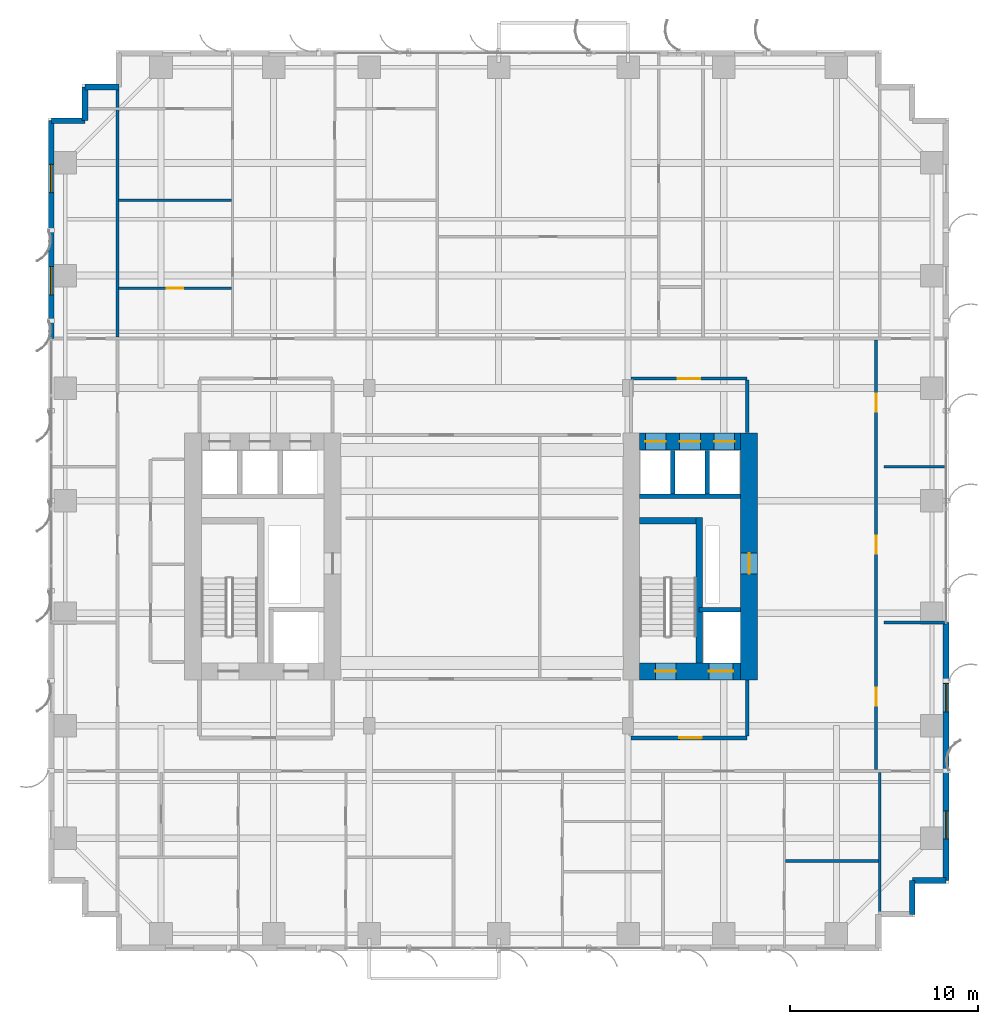
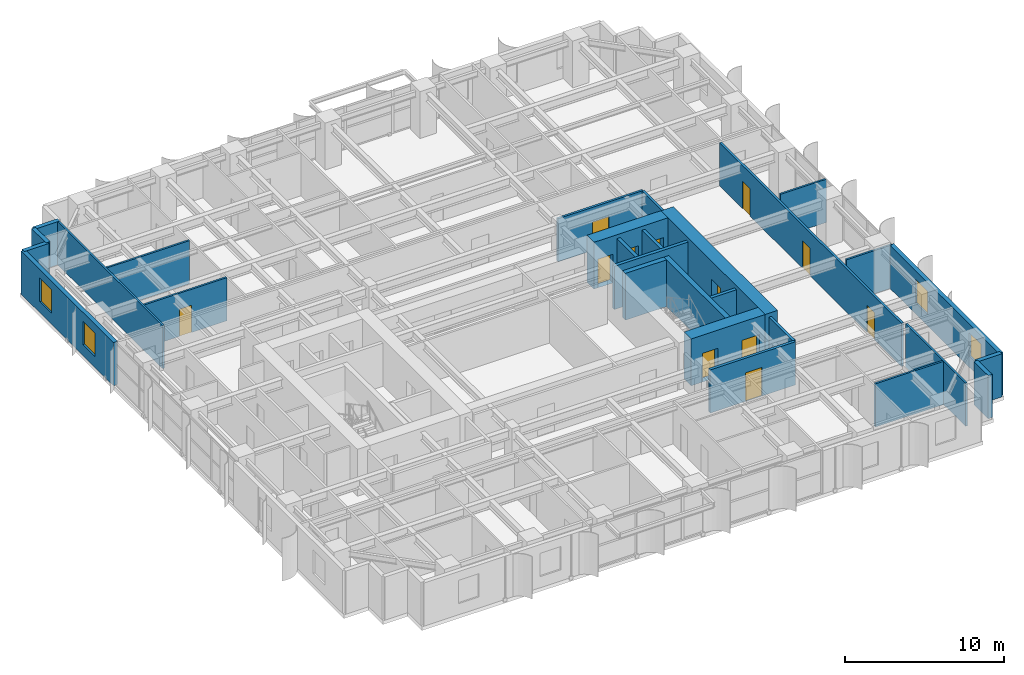
# One storey, part 19 of 25: 28 walls, 12 doors, 4 windows, 16 openings.
"""IFC4 building model written with IfcOpenShell, lengths in metres."""

from ifc_helpers import new_model, si_unit, direction, frame, frame_2d, origin, place, context, subcontext, project, spatial, rectangle, extrude, source, transform, mapped, material, layer, layer_set, type_object, element, fill, save


model = new_model("IFC4")

# Units and contexts
model_context = context("Model", 3, precision=1e-05, world=origin(), true_north=direction((0.0, 1.0)))
body_context = subcontext(model_context, "Body", "Model", "MODEL_VIEW")
ifc_project = project(units=[si_unit("LENGTHUNIT", "METRE"), si_unit("AREAUNIT", "SQUARE_METRE"), si_unit("VOLUMEUNIT", "CUBIC_METRE"), si_unit("PLANEANGLEUNIT", "RADIAN"), si_unit("MASSUNIT", "GRAM", prefix="KILO")], contexts=[model_context])

# Site, building, storey
site_placement = place(None, origin())
site = spatial("IfcSite", under=ifc_project, at=site_placement, CompositionType="ELEMENT")
building_placement = place(site_placement, origin())
building = spatial("IfcBuilding", under=site, at=building_placement, Name="Khoralis Quay Care Tower", CompositionType="ELEMENT")
storey_placement = place(building_placement, frame((0.0, 0.0, 65.699951171875)))
storey = spatial("IfcBuildingStorey", under=building, at=storey_placement, Name="L17", CompositionType="ELEMENT", Elevation=65.699951171875)

# Wall, opening, door
ifc_material_1 = material(Name="Gypsum plasterboard on acoustic metal stud")
ifc_layer_1 = layer(ifc_material_1, 0.199951171875)
ifc_layer_set_1 = layer_set([ifc_layer_1], Name="Gypsum plasterboard on acoustic metal stud")
wall_type_1 = type_object("IfcWallType", Name="WL-COMP-200", PredefinedType="PARTITIONING", material=ifc_layer_set_1)
wall_1_placement = place(storey_placement, frame((31.050048828125, 11.35009765625, 0.0), z_axis=(0.0, 0.0, 1.0), x_axis=(1.0, 0.0, 0.0)))
wall_1 = element("IfcWall", 1, at=wall_1_placement, inside=storey, type_object=wall_type_1, Name="L17 East Firefighting Lobby South Wall", PredefinedType="PARTITIONING", context=body_context, shape_type="SweptSolid", body=[
    extrude(rectangle(XDim=6.199951171875, YDim=0.199951171875, at=frame_2d((3.10009765625, 0.0))), origin(), (0.0, 0.0, 1.0), 3.320068359375),
])
opening_1_placement = place(wall_1_placement, frame((2.585693359375, 0.0, 0.0)))
opening_1 = element("IfcOpeningElement", 2, at=opening_1_placement, cuts=wall_1, Name="Opening FD1", PredefinedType="OPENING", context=body_context, shape_type="SweptSolid", body=[
    extrude(rectangle(XDim=1.199951171875, YDim=2.199951171875, at=frame_2d((0.60009765625, 1.10009765625))), frame((0.0, 0.10986328125, 0.0), z_axis=(0.0, -1.0, 0.0), x_axis=(1.0, 0.0, 0.0)), (0.0, 0.0, 1.0), 0.219970703125),
])
ifc_material_2 = material(Name="Fire-rated painted steel", Category="steel")
door_type_1 = type_object("IfcDoorType", Name="DR-FFL-1200X2200", OperationType="NOTDEFINED", PredefinedType="DOOR", material=ifc_material_2)
shared_shape_1 = source(origin(), body_context, "Body", "SweptSolid", [
    extrude(rectangle(XDim=1.199951171875, YDim=2.199951171875, at=frame_2d((0.60009765625, 1.10009765625))), frame((0.0, 0.02490234375, 0.0), z_axis=(0.0, -1.0, 0.0), x_axis=(1.0, 0.0, 0.0)), (0.0, 0.0, 1.0), 0.050048828125),
])
door_1_placement = place(opening_1_placement, origin())
door_1 = element("IfcDoor", 3, at=door_1_placement, inside=storey, type_object=door_type_1, Name="L17 East Firefighting Lobby Fire Door", OperationType="SINGLE_SWING_RIGHT", OverallHeight=2.199951171875, OverallWidth=1.199951171875, PredefinedType="DOOR", context=body_context, shape_type="MappedRepresentation", body=[
    mapped(shared_shape_1, transform((0.0, 0.0, 0.0), scale=1.0)),
])
fill(opening_1, door_1)

# Wall
wall_2_placement = place(storey_placement, frame((37.25, 11.445068359375, 0.0), z_axis=(0.0, 0.0, 1.0), x_axis=(0.0, 1.0, 0.0)))
element("IfcWall", 4, at=wall_2_placement, inside=storey, type_object=wall_type_1, Name="L17 East Firefighting Lobby East Wall", PredefinedType="PARTITIONING", context=body_context, shape_type="SweptSolid", body=[
    extrude(rectangle(XDim=2.98486328125, YDim=0.199951171875, at=frame_2d((1.492431640625, 0.0))), origin(), (0.0, 0.0, 1.0), 3.320068359375),
])

# Wall, opening, door
ifc_material_3 = material(Name="Concrete C80/95", Category="concrete")
ifc_layer_2 = layer(ifc_material_3, 0.89990234375)
ifc_layer_set_2 = layer_set([ifc_layer_2], Name="Concrete C80/95")
wall_type_2 = type_object("IfcWallType", Name="WL-CORE-900", PredefinedType="SHEAR", material=ifc_layer_set_2)
wall_3_placement = place(storey_placement, frame((37.35009765625, 14.449951171875, 0.0), z_axis=(0.0, 0.0, 1.0), x_axis=(0.0, 1.0, 0.0)))
wall_3 = element("IfcWall", 5, at=wall_3_placement, inside=storey, type_object=wall_type_2, Name="L17 ECORE East Shear Wall", PredefinedType="SHEAR", context=body_context, shape_type="SweptSolid", body=[
    extrude(rectangle(XDim=13.150146484375, YDim=0.89990234375, at=frame_2d((6.5751953125, 0.0))), origin(), (0.0, 0.0, 1.0), 3.60009765625),
])
opening_2_placement = place(wall_3_placement, frame((5.64990234375, 0.0, 0.0)))
opening_2 = element("IfcOpeningElement", 6, at=opening_2_placement, cuts=wall_3, Name="Opening SD1", PredefinedType="OPENING", context=body_context, shape_type="SweptSolid", body=[
    extrude(rectangle(XDim=1.10009765625, YDim=2.199951171875, at=frame_2d((0.550048828125, 1.10009765625))), frame((0.0, 0.4599609375, 0.0), z_axis=(0.0, -1.0, 0.0), x_axis=(1.0, 0.0, 0.0)), (0.0, 0.0, 1.0), 0.919921875),
])
door_type_2 = type_object("IfcDoorType", Name="DR-STAIR-1100X2200", OperationType="NOTDEFINED", PredefinedType="DOOR", material=ifc_material_2)
shared_shape_2 = source(origin(), body_context, "Body", "SweptSolid", [
    extrude(rectangle(XDim=1.10009765625, YDim=2.199951171875, at=frame_2d((0.550048828125, 1.10009765625))), frame((0.0, 0.02490234375, 0.0), z_axis=(0.0, -1.0, 0.0), x_axis=(1.0, 0.0, 0.0)), (0.0, 0.0, 1.0), 0.050048828125),
])
door_2_placement = place(opening_2_placement, frame((1.10009765625, 0.0, 0.0), z_axis=(0.0, 0.0, 1.0), x_axis=(-1.0, 0.0, 0.0)))
door_2 = element("IfcDoor", 7, at=door_2_placement, inside=storey, type_object=door_type_2, Name="L17 East MEP Riser Door", OperationType="SINGLE_SWING_RIGHT", OverallHeight=2.199951171875, OverallWidth=1.10009765625, PredefinedType="DOOR", context=body_context, shape_type="MappedRepresentation", body=[
    mapped(shared_shape_2, transform((0.0, 0.0, 0.0), scale=1.0)),
])
fill(opening_2, door_2)

# Wall, openings, doors
wall_4_placement = place(storey_placement, frame((31.52001953125, 14.89990234375, 0.0), z_axis=(0.0, 0.0, 1.0), x_axis=(1.0, 0.0, 0.0)))
wall_4 = element("IfcWall", 8, at=wall_4_placement, inside=storey, type_object=wall_type_2, Name="L17 ECORE South Shear Wall", PredefinedType="SHEAR", context=body_context, shape_type="SweptSolid", body=[
    extrude(rectangle(XDim=5.3798828125, YDim=0.89990234375, at=frame_2d((2.68994140625, 0.0))), origin(), (0.0, 0.0, 1.0), 3.60009765625),
])
opening_3_placement = place(wall_4_placement, frame((0.830078125, 0.0, 0.0)))
opening_3 = element("IfcOpeningElement", 9, at=opening_3_placement, cuts=wall_4, Name="Opening SD1", PredefinedType="OPENING", context=body_context, shape_type="SweptSolid", body=[
    extrude(rectangle(XDim=1.10009765625, YDim=2.199951171875, at=frame_2d((0.550048828125, 1.10009765625))), frame((0.0, 0.4599609375, 0.0), z_axis=(0.0, -1.0, 0.0), x_axis=(1.0, 0.0, 0.0)), (0.0, 0.0, 1.0), 0.919921875),
])
opening_4_placement = place(wall_4_placement, frame((3.679931640625, 0.0, 0.0)))
opening_4 = element("IfcOpeningElement", 10, at=opening_4_placement, cuts=wall_4, Name="Opening LD2", PredefinedType="OPENING", context=body_context, shape_type="SweptSolid", body=[
    extrude(rectangle(XDim=1.300048828125, YDim=2.199951171875, at=frame_2d((0.64990234375, 1.10009765625))), frame((0.0, 0.4599609375, 0.0), z_axis=(0.0, -1.0, 0.0), x_axis=(1.0, 0.0, 0.0)), (0.0, 0.0, 1.0), 0.919921875),
])
door_3_placement = place(opening_3_placement, origin())
door_3 = element("IfcDoor", 11, at=door_3_placement, inside=storey, type_object=door_type_2, Name="L17 Stair ST-T2 Fire Door", OperationType="SINGLE_SWING_RIGHT", OverallHeight=2.199951171875, OverallWidth=1.10009765625, PredefinedType="DOOR", context=body_context, shape_type="MappedRepresentation", body=[
    mapped(shared_shape_2, transform((0.0, 0.0, 0.0), scale=1.0)),
])
fill(opening_3, door_3)
ifc_material_4 = material(Name="Brushed stainless steel", Category="steel")
door_type_3 = type_object("IfcDoorType", Name="DR-LIFT-1300X2200", OperationType="SLIDING_TO_RIGHT", PredefinedType="DOOR", material=ifc_material_4)
shared_shape_3 = source(origin(), body_context, "Body", "SweptSolid", [
    extrude(rectangle(XDim=1.300048828125, YDim=2.199951171875, at=frame_2d((0.64990234375, 1.10009765625))), frame((0.0, 0.02490234375, 0.0), z_axis=(0.0, -1.0, 0.0), x_axis=(1.0, 0.0, 0.0)), (0.0, 0.0, 1.0), 0.050048828125),
])
door_4_placement = place(opening_4_placement, origin())
door_4 = element("IfcDoor", 12, at=door_4_placement, inside=storey, type_object=door_type_3, Name="L17 Firefighting Lift FFL-2 Landing Door", OperationType="SLIDING_TO_RIGHT", OverallHeight=2.199951171875, OverallWidth=1.300048828125, PredefinedType="DOOR", context=body_context, shape_type="MappedRepresentation", body=[
    mapped(shared_shape_3, transform((0.0, 0.0, 0.0), scale=1.0)),
])
fill(opening_4, door_4)

wall_5_placement = place(storey_placement, frame((31.52001953125, 27.14990234375, 0.0), z_axis=(0.0, 0.0, 1.0), x_axis=(1.0, 0.0, 0.0)))
wall_5 = element("IfcWall", 13, at=wall_5_placement, inside=storey, type_object=wall_type_2, Name="L17 ECORE North Shear Wall", PredefinedType="SHEAR", context=body_context, shape_type="SweptSolid", body=[
    extrude(rectangle(XDim=5.3798828125, YDim=0.89990234375, at=frame_2d((2.68994140625, 0.0))), origin(), (0.0, 0.0, 1.0), 3.60009765625),
])
opening_5_placement = place(wall_5_placement, frame((0.300048828125, 0.0, 0.0)))
opening_5 = element("IfcOpeningElement", 14, at=opening_5_placement, cuts=wall_5, Name="Opening LD1", PredefinedType="OPENING", context=body_context, shape_type="SweptSolid", body=[
    extrude(rectangle(XDim=1.10009765625, YDim=2.199951171875, at=frame_2d((0.550048828125, 1.10009765625))), frame((0.0, 0.4599609375, 0.0), z_axis=(0.0, -1.0, 0.0), x_axis=(1.0, 0.0, 0.0)), (0.0, 0.0, 1.0), 0.919921875),
])
opening_6_placement = place(wall_5_placement, frame((2.1298828125, 0.0, 0.0)))
opening_6 = element("IfcOpeningElement", 15, at=opening_6_placement, cuts=wall_5, Name="Opening LD1", PredefinedType="OPENING", context=body_context, shape_type="SweptSolid", body=[
    extrude(rectangle(XDim=1.10009765625, YDim=2.199951171875, at=frame_2d((0.550048828125, 1.10009765625))), frame((0.0, 0.4599609375, 0.0), z_axis=(0.0, -1.0, 0.0), x_axis=(1.0, 0.0, 0.0)), (0.0, 0.0, 1.0), 0.919921875),
])
opening_7_placement = place(wall_5_placement, frame((3.9599609375, 0.0, 0.0)))
opening_7 = element("IfcOpeningElement", 16, at=opening_7_placement, cuts=wall_5, Name="Opening LD1", PredefinedType="OPENING", context=body_context, shape_type="SweptSolid", body=[
    extrude(rectangle(XDim=1.10009765625, YDim=2.199951171875, at=frame_2d((0.550048828125, 1.10009765625))), frame((0.0, 0.4599609375, 0.0), z_axis=(0.0, -1.0, 0.0), x_axis=(1.0, 0.0, 0.0)), (0.0, 0.0, 1.0), 0.919921875),
])
door_type_4 = type_object("IfcDoorType", Name="DR-LIFT-1100X2200", OperationType="SLIDING_TO_LEFT", PredefinedType="DOOR", material=ifc_material_4)
shared_shape_4 = source(origin(), body_context, "Body", "SweptSolid", [
    extrude(rectangle(XDim=1.10009765625, YDim=2.199951171875, at=frame_2d((0.550048828125, 1.10009765625))), frame((0.0, 0.02490234375, 0.0), z_axis=(0.0, -1.0, 0.0), x_axis=(1.0, 0.0, 0.0)), (0.0, 0.0, 1.0), 0.050048828125),
])
door_5_placement = place(opening_5_placement, origin())
door_5 = element("IfcDoor", 17, at=door_5_placement, inside=storey, type_object=door_type_4, Name="L17 Lift PLL2 Landing Door", OperationType="SLIDING_TO_LEFT", OverallHeight=2.199951171875, OverallWidth=1.10009765625, PredefinedType="DOOR", context=body_context, shape_type="MappedRepresentation", body=[
    mapped(shared_shape_4, transform((0.0, 0.0, 0.0), scale=1.0)),
])
fill(opening_5, door_5)
door_6_placement = place(opening_6_placement, origin())
door_6 = element("IfcDoor", 18, at=door_6_placement, inside=storey, type_object=door_type_4, Name="L17 Lift PLM2 Landing Door", OperationType="SLIDING_TO_LEFT", OverallHeight=2.199951171875, OverallWidth=1.10009765625, PredefinedType="DOOR", context=body_context, shape_type="MappedRepresentation", body=[
    mapped(shared_shape_4, transform((0.0, 0.0, 0.0), scale=1.0)),
])
fill(opening_6, door_6)
door_7_placement = place(opening_7_placement, origin())
door_7 = element("IfcDoor", 19, at=door_7_placement, inside=storey, type_object=door_type_4, Name="L17 Lift PLH2 Landing Door", OperationType="SLIDING_TO_LEFT", OverallHeight=2.199951171875, OverallWidth=1.10009765625, PredefinedType="DOOR", context=body_context, shape_type="MappedRepresentation", body=[
    mapped(shared_shape_4, transform((0.0, 0.0, 0.0), scale=1.0)),
])
fill(opening_7, door_7)

# Wall, opening, door
ifc_layer_3 = layer(ifc_material_1, 0.1650390625)
ifc_layer_set_3 = layer_set([ifc_layer_3], Name="Gypsum plasterboard on acoustic metal stud")
wall_type_3 = type_object("IfcWallType", Name="WL-CORR-165", PredefinedType="PARTITIONING", material=ifc_layer_set_3)
wall_6_placement = place(storey_placement, frame((31.050048828125, 30.5, 0.0), z_axis=(0.0, 0.0, 1.0), x_axis=(1.0, 0.0, 0.0)))
wall_6 = element("IfcWall", 20, at=wall_6_placement, inside=storey, type_object=wall_type_3, Name="L17 East Lift Lobby North Wall", PredefinedType="PARTITIONING", context=body_context, shape_type="SweptSolid", body=[
    extrude(rectangle(XDim=6.199951171875, YDim=0.1650390625, at=frame_2d((3.10009765625, 0.0))), origin(), (0.0, 0.0, 1.0), 3.320068359375),
])
opening_8_placement = place(wall_6_placement, frame((2.5, 0.0, 0.0)))
opening_8 = element("IfcOpeningElement", 21, at=opening_8_placement, cuts=wall_6, Name="Opening FD1", PredefinedType="OPENING", context=body_context, shape_type="SweptSolid", body=[
    extrude(rectangle(XDim=1.199951171875, YDim=2.199951171875, at=frame_2d((0.60009765625, 1.10009765625))), frame((0.0, 0.092529296875, 0.0), z_axis=(0.0, -1.0, 0.0), x_axis=(1.0, 0.0, 0.0)), (0.0, 0.0, 1.0), 0.18505859375),
])
door_8_placement = place(opening_8_placement, origin())
door_8 = element("IfcDoor", 22, at=door_8_placement, inside=storey, type_object=door_type_1, Name="L17 East Lift Lobby Double Door", OperationType="DOUBLE_DOOR_SINGLE_SWING", OverallHeight=2.199951171875, OverallWidth=1.199951171875, PredefinedType="DOOR", context=body_context, shape_type="MappedRepresentation", body=[
    mapped(shared_shape_1, transform((0.0, 0.0, 0.0), scale=1.0)),
])
fill(opening_8, door_8)

# Wall
wall_7_placement = place(storey_placement, frame((37.25, 27.6201171875, 0.0), z_axis=(0.0, 0.0, 1.0), x_axis=(0.0, 1.0, 0.0)))
element("IfcWall", 23, at=wall_7_placement, inside=storey, type_object=wall_type_3, Name="L17 East Lift Lobby East Wall", PredefinedType="PARTITIONING", context=body_context, shape_type="SweptSolid", body=[
    extrude(rectangle(XDim=2.802490234375, YDim=0.1650390625, at=frame_2d((1.4013671875, 0.0))), origin(), (0.0, 0.0, 1.0), 3.320068359375),
])

# Wall, openings, doors
wall_8_placement = place(storey_placement, frame((44.1201171875, 9.657470703125, 0.0), z_axis=(0.0, 0.0, 1.0), x_axis=(0.0, 1.0, 0.0)))
wall_8 = element("IfcWall", 24, at=wall_8_placement, inside=storey, type_object=wall_type_3, Name="L17 East Loop Corridor Wall", PredefinedType="PARTITIONING", context=body_context, shape_type="SweptSolid", body=[
    extrude(rectangle(XDim=22.905029296875, YDim=0.1650390625, at=frame_2d((11.45263671875, 0.0))), origin(), (0.0, 0.0, 1.0), 3.320068359375),
])
opening_9_placement = place(wall_8_placement, frame((3.407470703125, 0.0, 0.0)))
opening_9 = element("IfcOpeningElement", 25, at=opening_9_placement, cuts=wall_8, Name="Opening ID1", PredefinedType="OPENING", context=body_context, shape_type="SweptSolid", body=[
    extrude(rectangle(XDim=0.949951171875, YDim=2.10009765625, at=frame_2d((0.47509765625, 1.050048828125))), frame((0.0, 0.092529296875, 0.0), z_axis=(0.0, -1.0, 0.0), x_axis=(1.0, 0.0, 0.0)), (0.0, 0.0, 1.0), 0.18505859375),
])
opening_10_placement = place(wall_8_placement, frame((11.517578125, 0.0, 0.0)))
opening_10 = element("IfcOpeningElement", 26, at=opening_10_placement, cuts=wall_8, Name="Opening ID1", PredefinedType="OPENING", context=body_context, shape_type="SweptSolid", body=[
    extrude(rectangle(XDim=0.949951171875, YDim=2.10009765625, at=frame_2d((0.47509765625, 1.050048828125))), frame((0.0, 0.092529296875, 0.0), z_axis=(0.0, -1.0, 0.0), x_axis=(1.0, 0.0, 0.0)), (0.0, 0.0, 1.0), 0.18505859375),
])
opening_11_placement = place(wall_8_placement, frame((19.08740234375, 0.0, 0.0)))
opening_11 = element("IfcOpeningElement", 27, at=opening_11_placement, cuts=wall_8, Name="Opening ID1", PredefinedType="OPENING", context=body_context, shape_type="SweptSolid", body=[
    extrude(rectangle(XDim=0.949951171875, YDim=2.10009765625, at=frame_2d((0.47509765625, 1.050048828125))), frame((0.0, 0.092529296875, 0.0), z_axis=(0.0, -1.0, 0.0), x_axis=(1.0, 0.0, 0.0)), (0.0, 0.0, 1.0), 0.18505859375),
])
ifc_material_5 = material(Name="Acoustic hardwood timber", Category="wood")
door_type_5 = type_object("IfcDoorType", Name="DR-ROOM-950X2100", OperationType="NOTDEFINED", PredefinedType="DOOR", material=ifc_material_5)
shared_shape_5 = source(origin(), body_context, "Body", "SweptSolid", [
    extrude(rectangle(XDim=0.949951171875, YDim=2.10009765625, at=frame_2d((0.47509765625, 1.050048828125))), frame((0.0, 0.02490234375, 0.0), z_axis=(0.0, -1.0, 0.0), x_axis=(1.0, 0.0, 0.0)), (0.0, 0.0, 1.0), 0.050048828125),
])
door_9_placement = place(opening_9_placement, frame((0.949951171875, 0.0, 0.0), z_axis=(0.0, 0.0, 1.0), x_axis=(-1.0, 0.0, 0.0)))
door_9 = element("IfcDoor", 28, at=door_9_placement, inside=storey, type_object=door_type_5, Name="L17 Therapy Consultation Room Door", OperationType="SINGLE_SWING_LEFT", OverallHeight=2.10009765625, OverallWidth=0.949951171875, PredefinedType="DOOR", context=body_context, shape_type="MappedRepresentation", body=[
    mapped(shared_shape_5, transform((0.0, 0.0, 0.0), scale=1.0)),
])
fill(opening_9, door_9)
door_10_placement = place(opening_10_placement, frame((0.949951171875, 0.0, 0.0), z_axis=(0.0, 0.0, 1.0), x_axis=(-1.0, 0.0, 0.0)))
door_10 = element("IfcDoor", 29, at=door_10_placement, inside=storey, type_object=door_type_5, Name="L17 Assisted Activity Lounge Door", OperationType="SINGLE_SWING_RIGHT", OverallHeight=2.10009765625, OverallWidth=0.949951171875, PredefinedType="DOOR", context=body_context, shape_type="MappedRepresentation", body=[
    mapped(shared_shape_5, transform((0.0, 0.0, 0.0), scale=1.0)),
])
fill(opening_10, door_10)
door_11_placement = place(opening_11_placement, frame((0.949951171875, 0.0, 0.0), z_axis=(0.0, 0.0, 1.0), x_axis=(-1.0, 0.0, 0.0)))
door_11 = element("IfcDoor", 30, at=door_11_placement, inside=storey, type_object=door_type_5, Name="L17 Nurse Charting Office Door", OperationType="SINGLE_SWING_LEFT", OverallHeight=2.10009765625, OverallWidth=0.949951171875, PredefinedType="DOOR", context=body_context, shape_type="MappedRepresentation", body=[
    mapped(shared_shape_5, transform((0.0, 0.0, 0.0), scale=1.0)),
])
fill(opening_11, door_11)

# Walls
ifc_material_6 = material(Name="Precast concrete C45/55", Category="concrete")
ifc_layer_4 = layer(ifc_material_6, 0.300048828125)
ifc_layer_set_4 = layer_set([ifc_layer_4], Name="Precast concrete C45/55")
wall_type_4 = type_object("IfcWallType", Name="WL-EXT-REF-300", PredefinedType="SOLIDWALL", material=ifc_layer_set_4)
for number, where, z_axis, x_axis, name in (
    (31, (46.050048828125, 1.949951171875, 0.0), (0.0, 0.0, 1.0), (0.0, 1.0, 0.0), "L17 External Facade Wall WL-EXT-L17-P1-C3"),
    (32, (46.050048828125, 3.75, 0.0), (0.0, 0.0, 1.0), (1.0, 0.0, 0.0), "L17 External Facade Wall WL-EXT-L17-P1-C4"),
):
    element("IfcWall", number, at=place(storey_placement, frame(where, z_axis=z_axis, x_axis=x_axis)), inside=storey, type_object=wall_type_4, Name=name, PredefinedType="SOLIDWALL", context=body_context, shape_type="SweptSolid", body=[
        extrude(rectangle(XDim=1.800048828125, YDim=0.300048828125, at=frame_2d((0.89990234375, 0.0))), origin(), (0.0, 0.0, 1.0), 3.320068359375),
    ])

# Wall, openings, windows
wall_9_placement = place(storey_placement, frame((47.85009765625, 3.75, 0.0), z_axis=(0.0, 0.0, 1.0), x_axis=(0.0, 1.0, 0.0)))
wall_9 = element("IfcWall", 33, at=wall_9_placement, inside=storey, type_object=wall_type_4, Name="L17 External Facade Wall WL-EXT-L17-P1-E5A", PredefinedType="SOLIDWALL", context=body_context, shape_type="SweptSolid", body=[
    extrude(rectangle(XDim=13.75, YDim=0.300048828125, at=frame_2d((6.875, 0.0))), origin(), (0.0, 0.0, 1.0), 3.320068359375),
])
opening_12_placement = place(wall_9_placement, frame((2.215087890625, 0.0, 0.85009765625)))
opening_12 = element("IfcOpeningElement", 34, at=opening_12_placement, cuts=wall_9, Name="Opening W3", PredefinedType="OPENING", context=body_context, shape_type="SweptSolid", body=[
    extrude(rectangle(XDim=1.5, YDim=1.800048828125, at=frame_2d((0.75, 0.89990234375))), frame((0.0, 0.16015625, 0.0), z_axis=(0.0, -1.0, 0.0), x_axis=(1.0, 0.0, 0.0)), (0.0, 0.0, 1.0), 0.320068359375),
])
opening_13_placement = place(wall_9_placement, frame((8.989990234375, 0.0, 0.85009765625)))
opening_13 = element("IfcOpeningElement", 35, at=opening_13_placement, cuts=wall_9, Name="Opening W3", PredefinedType="OPENING", context=body_context, shape_type="SweptSolid", body=[
    extrude(rectangle(XDim=1.5, YDim=1.800048828125, at=frame_2d((0.75, 0.89990234375))), frame((0.0, 0.16015625, 0.0), z_axis=(0.0, -1.0, 0.0), x_axis=(1.0, 0.0, 0.0)), (0.0, 0.0, 1.0), 0.320068359375),
])
ifc_material_7 = material(Name="Low-E solar-control double glazing", Category="glass")
window_type = type_object("IfcWindowType", Name="WN-CLIN-1500X1800", PartitioningType="SINGLE_PANEL", PredefinedType="WINDOW", material=ifc_material_7)
shared_shape_6 = source(origin(), body_context, "Body", "SweptSolid", [
    extrude(rectangle(XDim=1.5, YDim=1.800048828125, at=frame_2d((0.75, 0.89990234375))), frame((0.0, 0.030029296875, 0.0), z_axis=(0.0, -1.0, 0.0), x_axis=(1.0, 0.0, 0.0)), (0.0, 0.0, 1.0), 0.06005859375),
])
window_1_placement = place(opening_12_placement, origin())
window_1 = element("IfcWindow", 36, at=window_1_placement, inside=storey, type_object=window_type, Name="WN-L17-P1-E5A Facade Window 01", OverallHeight=1.800048828125, OverallWidth=1.5, PartitioningType="SINGLE_PANEL", PredefinedType="WINDOW", context=body_context, shape_type="MappedRepresentation", body=[
    mapped(shared_shape_6, transform((0.0, 0.0, 0.0), scale=1.0)),
])
fill(opening_12, window_1)
window_2_placement = place(opening_13_placement, origin())
window_2 = element("IfcWindow", 37, at=window_2_placement, inside=storey, type_object=window_type, Name="WN-L17-P1-E5A Facade Window 02", OverallHeight=1.800048828125, OverallWidth=1.5, PartitioningType="SINGLE_PANEL", PredefinedType="WINDOW", context=body_context, shape_type="MappedRepresentation", body=[
    mapped(shared_shape_6, transform((0.0, 0.0, 0.0), scale=1.0)),
])
fill(opening_13, window_2)

# Walls
for number, where, z_axis, x_axis, name in (
    (38, (3.75, 46.050048828125, 0.0), (0.0, 0.0, 1.0), (-1.0, 0.0, 0.0), "L17 External Facade Wall WL-EXT-L17-P1-C12"),
    (39, (1.949951171875, 46.050048828125, 0.0), (0.0, 0.0, 1.0), (0.0, -1.0, 0.0), "L17 External Facade Wall WL-EXT-L17-P1-C13"),
    (40, (1.949951171875, 44.25, 0.0), (0.0, 0.0, 1.0), (-1.0, 0.0, 0.0), "L17 External Facade Wall WL-EXT-L17-P1-C14"),
):
    element("IfcWall", number, at=place(storey_placement, frame(where, z_axis=z_axis, x_axis=x_axis)), inside=storey, type_object=wall_type_4, Name=name, PredefinedType="SOLIDWALL", context=body_context, shape_type="SweptSolid", body=[
        extrude(rectangle(XDim=1.800048828125, YDim=0.300048828125, at=frame_2d((0.89990234375, 0.0))), origin(), (0.0, 0.0, 1.0), 3.320068359375),
    ])

# Wall, openings, windows
wall_10_placement = place(storey_placement, frame((0.14990234375, 44.25, 0.0), z_axis=(0.0, 0.0, 1.0), x_axis=(0.0, -1.0, 0.0)))
wall_10 = element("IfcWall", 41, at=wall_10_placement, inside=storey, type_object=wall_type_4, Name="L17 External Facade Wall WL-EXT-L17-P1-E15A", PredefinedType="SOLIDWALL", context=body_context, shape_type="SweptSolid", body=[
    extrude(rectangle(XDim=11.610107421875, YDim=0.300048828125, at=frame_2d((5.80517578125, 0.0))), origin(), (0.0, 0.0, 1.0), 3.320068359375),
])
opening_14_placement = place(wall_10_placement, frame((2.33251953125, 0.0, 0.85009765625)))
opening_14 = element("IfcOpeningElement", 42, at=opening_14_placement, cuts=wall_10, Name="Opening W3", PredefinedType="OPENING", context=body_context, shape_type="SweptSolid", body=[
    extrude(rectangle(XDim=1.5, YDim=1.800048828125, at=frame_2d((0.75, 0.89990234375))), frame((0.0, 0.16015625, 0.0), z_axis=(0.0, -1.0, 0.0), x_axis=(1.0, 0.0, 0.0)), (0.0, 0.0, 1.0), 0.320068359375),
])
opening_15_placement = place(wall_10_placement, frame((7.777587890625, 0.0, 0.85009765625)))
opening_15 = element("IfcOpeningElement", 43, at=opening_15_placement, cuts=wall_10, Name="Opening W3", PredefinedType="OPENING", context=body_context, shape_type="SweptSolid", body=[
    extrude(rectangle(XDim=1.5, YDim=1.800048828125, at=frame_2d((0.75, 0.89990234375))), frame((0.0, 0.16015625, 0.0), z_axis=(0.0, -1.0, 0.0), x_axis=(1.0, 0.0, 0.0)), (0.0, 0.0, 1.0), 0.320068359375),
])
window_3_placement = place(opening_14_placement, origin())
window_3 = element("IfcWindow", 44, at=window_3_placement, inside=storey, type_object=window_type, Name="WN-L17-P1-E15A Facade Window 01", OverallHeight=1.800048828125, OverallWidth=1.5, PartitioningType="SINGLE_PANEL", PredefinedType="WINDOW", context=body_context, shape_type="MappedRepresentation", body=[
    mapped(shared_shape_6, transform((0.0, 0.0, 0.0), scale=1.0)),
])
fill(opening_14, window_3)
window_4_placement = place(opening_15_placement, origin())
window_4 = element("IfcWindow", 45, at=window_4_placement, inside=storey, type_object=window_type, Name="WN-L17-P1-E15A Facade Window 02", OverallHeight=1.800048828125, OverallWidth=1.5, PartitioningType="SINGLE_PANEL", PredefinedType="WINDOW", context=body_context, shape_type="MappedRepresentation", body=[
    mapped(shared_shape_6, transform((0.0, 0.0, 0.0), scale=1.0)),
])
fill(opening_15, window_4)

# Walls
ifc_material_8 = material(Name="Moisture-resistant gypsum and ceramic tile")
ifc_layer_5 = layer(ifc_material_8, 0.280029296875)
ifc_layer_set_5 = layer_set([ifc_layer_5], Name="Moisture-resistant gypsum and ceramic tile")
wall_type_5 = type_object("IfcWallType", Name="WL-PLUMB-280", PredefinedType="PLUMBINGWALL", material=ifc_layer_set_5)
wall_11_placement = place(storey_placement, frame((39.28662109375, 4.7900390625, 0.0), z_axis=(0.0, 0.0, 1.0), x_axis=(1.0, 0.0, 0.0)))
element("IfcWall", 46, at=wall_11_placement, inside=storey, type_object=wall_type_5, Name="L17 Studio 2 Wet Split", PredefinedType="PLUMBINGWALL", context=body_context, shape_type="SweptSolid", body=[
    extrude(rectangle(XDim=4.96826171875, YDim=0.139892578125, at=frame_2d((2.484130859375, 0.0))), origin(), (0.0, 0.0, 1.0), 3.320068359375),
])
wall_12_placement = place(storey_placement, frame((3.7451171875, 40.012939453125, 0.0), z_axis=(0.0, 0.0, 1.0), x_axis=(1.0, 0.0, 0.0)))
element("IfcWall", 47, at=wall_12_placement, inside=storey, type_object=wall_type_5, Name="L17 2BR 0 Left Split", PredefinedType="PLUMBINGWALL", context=body_context, shape_type="SweptSolid", body=[
    extrude(rectangle(XDim=6.020263671875, YDim=0.139892578125, at=frame_2d((3.01025390625, 0.0))), origin(), (0.0, 0.0, 1.0), 3.320068359375),
])
ifc_material_9 = material(Name="Concrete C40/50", Category="concrete")
ifc_layer_6 = layer(ifc_material_9, 0.35009765625)
ifc_layer_set_6 = layer_set([ifc_layer_6], Name="Concrete C40/50")
wall_type_6 = type_object("IfcWallType", Name="WL-SC-CORE-350", PredefinedType="SHEAR", material=ifc_layer_set_6)
wall_13_placement = place(storey_placement, frame((34.695068359375, 15.35009765625, 0.0), z_axis=(0.0, 0.0, 1.0), x_axis=(0.0, 1.0, 0.0)))
element("IfcWall", 48, at=wall_13_placement, inside=storey, type_object=wall_type_6, Name="L17 Stair ST-T2 Shear Baffle Wall East", PredefinedType="SHEAR", context=body_context, shape_type="SweptSolid", body=[
    extrude(rectangle(XDim=7.75, YDim=0.35009765625, at=frame_2d((3.875, 0.0))), origin(), (0.0, 0.0, 1.0), 3.60009765625),
])
wall_14_placement = place(storey_placement, frame((31.52001953125, 22.925048828125, 0.0), z_axis=(0.0, 0.0, 1.0), x_axis=(1.0, 0.0, 0.0)))
element("IfcWall", 49, at=wall_14_placement, inside=storey, type_object=wall_type_6, Name="L17 Stair ST-T2 Shear Baffle Wall North", PredefinedType="SHEAR", context=body_context, shape_type="SweptSolid", body=[
    extrude(rectangle(XDim=3.0, YDim=0.35009765625, at=frame_2d((1.5, 0.0))), origin(), (0.0, 0.0, 1.0), 3.60009765625),
])
ifc_layer_7 = layer(ifc_material_1, 0.239990234375)
ifc_layer_set_7 = layer_set([ifc_layer_7], Name="Gypsum plasterboard on acoustic metal stud")
wall_type_7 = type_object("IfcWallType", Name="WL-SHAFT-240", PredefinedType="PARTITIONING", material=ifc_layer_set_7)
wall_15_placement = place(storey_placement, frame((34.679931640625, 18.169921875, 0.0), z_axis=(0.0, 0.0, 1.0), x_axis=(1.0, 0.0, 0.0)))
element("IfcWall", 50, at=wall_15_placement, inside=storey, type_object=wall_type_7, Name="L17 FFL-2 Shaft Wall North", PredefinedType="PARTITIONING", context=body_context, shape_type="SweptSolid", body=[
    extrude(rectangle(XDim=2.199951171875, YDim=0.239990234375, at=frame_2d((1.10009765625, 0.0))), origin(), (0.0, 0.0, 1.0), 3.320068359375),
])
wall_16_placement = place(storey_placement, frame((31.52001953125, 24.22998046875, 0.0), z_axis=(0.0, 0.0, 1.0), x_axis=(1.0, 0.0, 0.0)))
element("IfcWall", 51, at=wall_16_placement, inside=storey, type_object=wall_type_7, Name="L17 East Passenger Shaft South Wall", PredefinedType="PARTITIONING", context=body_context, shape_type="SweptSolid", body=[
    extrude(rectangle(XDim=5.35986328125, YDim=0.239990234375, at=frame_2d((2.679931640625, 0.0))), origin(), (0.0, 0.0, 1.0), 3.320068359375),
])
for number, where, z_axis, x_axis, name in (
    (52, (33.2900390625, 24.344970703125, 0.0), (0.0, 0.0, 1.0), (0.0, 1.0, 0.0), "L17 East Shaft Divider 1"),
    (53, (35.110107421875, 24.344970703125, 0.0), (0.0, 0.0, 1.0), (0.0, 1.0, 0.0), "L17 East Shaft Divider 2"),
):
    element("IfcWall", number, at=place(storey_placement, frame(where, z_axis=z_axis, x_axis=x_axis)), inside=storey, type_object=wall_type_7, Name=name, PredefinedType="PARTITIONING", context=body_context, shape_type="SweptSolid", body=[
        extrude(rectangle(XDim=2.3349609375, YDim=0.239990234375, at=frame_2d((1.16748046875, 0.0))), origin(), (0.0, 0.0, 1.0), 3.320068359375),
    ])
ifc_layer_8 = layer(ifc_material_1, 0.139892578125)
ifc_layer_set_8 = layer_set([ifc_layer_8], Name="Gypsum plasterboard on acoustic metal stud")
wall_type_8 = type_object("IfcWallType", Name="WL-UNIT-140", PredefinedType="PARTITIONING", material=ifc_layer_set_8)
for number, where, z_axis, x_axis, name in (
    (54, (44.5400390625, 17.5, 0.0), (0.0, 0.0, 1.0), (1.0, 0.0, 0.0), "L17 EE Divider 1"),
    (55, (44.5400390625, 25.800048828125, 0.0), (0.0, 0.0, 1.0), (1.0, 0.0, 0.0), "L17 EE Divider 2"),
):
    element("IfcWall", number, at=place(storey_placement, frame(where, z_axis=z_axis, x_axis=x_axis)), inside=storey, type_object=wall_type_8, Name=name, PredefinedType="PARTITIONING", context=body_context, shape_type="SweptSolid", body=[
        extrude(rectangle(XDim=3.31494140625, YDim=0.139892578125, at=frame_2d((1.657470703125, 0.0))), origin(), (0.0, 0.0, 1.0), 3.320068359375),
    ])
wall_17_placement = place(storey_placement, frame((44.320068359375, 1.945068359375, 0.0), z_axis=(0.0, 0.0, 1.0), x_axis=(0.0, 1.0, 0.0)))
element("IfcWall", 56, at=wall_17_placement, inside=storey, type_object=wall_type_8, Name="L17 SB Demising Wall 3", PredefinedType="PARTITIONING", context=body_context, shape_type="SweptSolid", body=[
    extrude(rectangle(XDim=7.557373046875, YDim=0.139892578125, at=frame_2d((3.77880859375, 0.0))), origin(), (0.0, 0.0, 1.0), 3.320068359375),
])
wall_18_placement = place(storey_placement, frame((3.679931640625, 32.717529296875, 0.0), z_axis=(0.0, 0.0, 1.0), x_axis=(0.0, 1.0, 0.0)))
element("IfcWall", 57, at=wall_18_placement, inside=storey, type_object=wall_type_8, Name="L17 NB Demising Wall 0", PredefinedType="PARTITIONING", context=body_context, shape_type="SweptSolid", body=[
    extrude(rectangle(XDim=13.33740234375, YDim=0.139892578125, at=frame_2d((6.668701171875, 0.0))), origin(), (0.0, 0.0, 1.0), 3.320068359375),
])

# Wall, opening, door
wall_19_placement = place(storey_placement, frame((3.7451171875, 35.320068359375, 0.0), z_axis=(0.0, 0.0, 1.0), x_axis=(1.0, 0.0, 0.0)))
wall_19 = element("IfcWall", 58, at=wall_19_placement, inside=storey, type_object=wall_type_8, Name="Family Apartment Bathroom L17-NB0 Sub-Partition", PredefinedType="PARTITIONING", context=body_context, shape_type="SweptSolid", body=[
    extrude(rectangle(XDim=6.020263671875, YDim=0.139892578125, at=frame_2d((3.01025390625, 0.0))), origin(), (0.0, 0.0, 1.0), 3.320068359375),
])
opening_16_placement = place(wall_19_placement, frame((2.553955078125, 0.0, 0.0)))
opening_16 = element("IfcOpeningElement", 59, at=opening_16_placement, cuts=wall_19, Name="Opening WD1", PredefinedType="OPENING", context=body_context, shape_type="SweptSolid", body=[
    extrude(rectangle(XDim=0.89990234375, YDim=2.10009765625, at=frame_2d((0.449951171875, 1.050048828125))), frame((0.0, 0.080078125, 0.0), z_axis=(0.0, -1.0, 0.0), x_axis=(1.0, 0.0, 0.0)), (0.0, 0.0, 1.0), 0.159912109375),
])
door_type_6 = type_object("IfcDoorType", Name="DR-BATH-900X2100", OperationType="NOTDEFINED", PredefinedType="DOOR", material=ifc_material_5)
shared_shape_7 = source(origin(), body_context, "Body", "SweptSolid", [
    extrude(rectangle(XDim=0.89990234375, YDim=2.10009765625, at=frame_2d((0.449951171875, 1.050048828125))), frame((0.0, 0.02490234375, 0.0), z_axis=(0.0, -1.0, 0.0), x_axis=(1.0, 0.0, 0.0)), (0.0, 0.0, 1.0), 0.050048828125),
])
door_12_placement = place(opening_16_placement, origin())
door_12 = element("IfcDoor", 60, at=door_12_placement, inside=storey, type_object=door_type_6, Name="Linen & Utility Closet BTH0 Door", OperationType="SINGLE_SWING_LEFT", OverallHeight=2.10009765625, OverallWidth=0.89990234375, PredefinedType="DOOR", context=body_context, shape_type="MappedRepresentation", body=[
    mapped(shared_shape_7, transform((0.0, 0.0, 0.0), scale=1.0)),
])
fill(opening_16, door_12)

save(model, "model.ifc")
